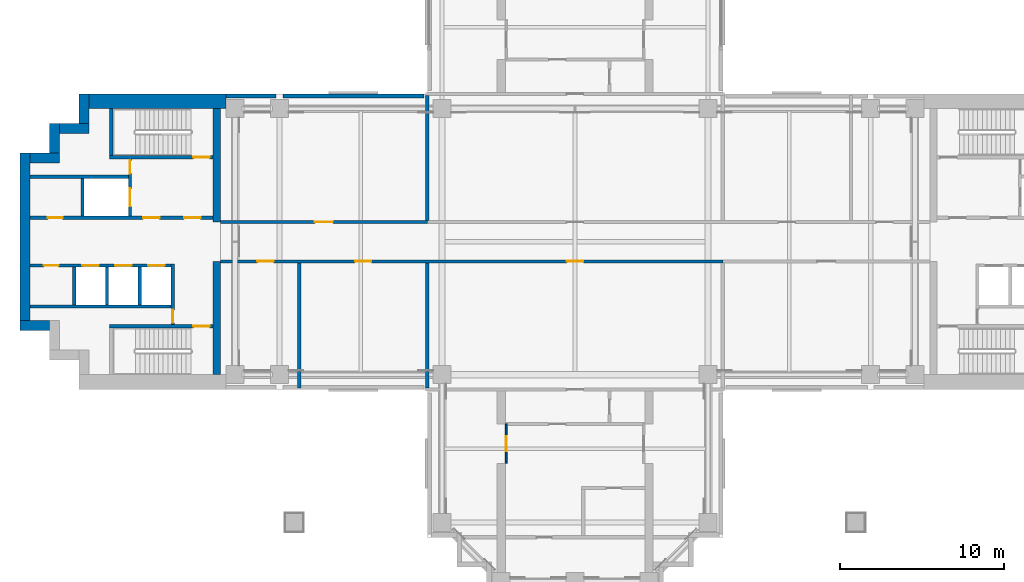
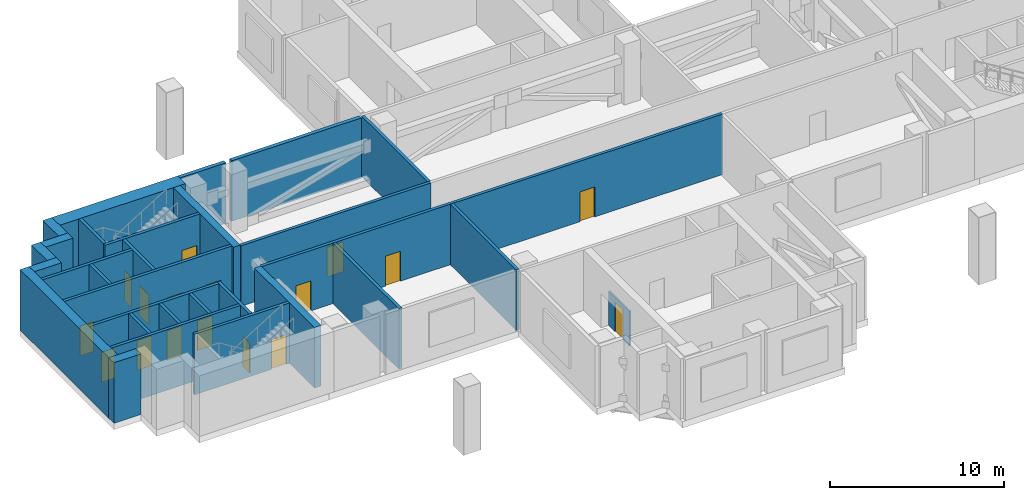
# One storey, part 5 of 11: 30 walls, 17 doors, 17 openings.
"""IFC4 building model written with IfcOpenShell, lengths in metres."""

from ifc_helpers import new_model, si_unit, direction, frame, frame_2d, origin, place, context, subcontext, project, spatial, rectangle, extrude, material, layer, layer_set, type_object, element, fill, save


model = new_model("IFC4")

# Units and contexts
model_context = context("Model", 3, precision=1e-05, world=origin(), true_north=direction((0.0, 1.0)))
body_context = subcontext(model_context, "Body", "Model", "MODEL_VIEW")
ifc_project = project(units=[si_unit("LENGTHUNIT", "METRE"), si_unit("AREAUNIT", "SQUARE_METRE"), si_unit("VOLUMEUNIT", "CUBIC_METRE"), si_unit("PLANEANGLEUNIT", "RADIAN"), si_unit("MASSUNIT", "GRAM", prefix="KILO")], contexts=[model_context])

# Site, building, storey
site_placement = place(None, origin())
site = spatial("IfcSite", under=ifc_project, at=site_placement, CompositionType="ELEMENT")
building_placement = place(site_placement, origin())
building = spatial("IfcBuilding", under=site, at=building_placement, Name="Perihelion Cross Residences", CompositionType="ELEMENT")
storey_placement = place(building_placement, frame((0.0, 0.0, 162.10009765625)))
storey = spatial("IfcBuildingStorey", under=building, at=storey_placement, Name="L39", CompositionType="ELEMENT", Elevation=162.10009765625)

# Wall, openings, doors
ifc_material_1 = material(Name="Plasterboard partition")
ifc_layer_1 = layer(ifc_material_1, 0.199951171875)
ifc_layer_set_1 = layer_set([ifc_layer_1], Name="Apartment riser wall 200")
wall_type_1 = type_object("IfcWallType", Name="Apartment riser wall 200", PredefinedType="PARTITIONING", material=ifc_layer_set_1)
wall_1_placement = place(storey_placement, frame((9.0, -1.199951171875, 0.0), z_axis=(0.0, 0.0, 1.0), x_axis=(-1.0, 0.0, 0.0)))
wall_1 = element("IfcWall", 1, at=wall_1_placement, inside=storey, type_object=wall_type_1, Name="Partition L39 W002", PredefinedType="PARTITIONING", context=body_context, shape_type="SweptSolid", body=[
    extrude(rectangle(XDim=30.60009765625, YDim=0.199951171875, at=frame_2d((15.300048828125, 0.0))), origin(), (0.0, 0.0, 1.0), 4.25),
])
opening_1_placement = place(wall_1_placement, frame((8.5, 0.0, 0.0)))
opening_1 = element("IfcOpeningElement", 2, at=opening_1_placement, cuts=wall_1, Name="Opening L39.A02", PredefinedType="OPENING", context=body_context, shape_type="SweptSolid", body=[
    extrude(rectangle(XDim=1.0, YDim=2.10009765625, at=frame_2d((0.5, 1.050048828125))), frame((0.0, 0.10986328125, 0.0), z_axis=(0.0, -1.0, 0.0), x_axis=(1.0, 0.0, 0.0)), (0.0, 0.0, 1.0), 0.219970703125),
])
opening_2_placement = place(wall_1_placement, frame((21.39990234375, 0.0, 0.0)))
opening_2 = element("IfcOpeningElement", 3, at=opening_2_placement, cuts=wall_1, Name="Opening L39.A07", PredefinedType="OPENING", context=body_context, shape_type="SweptSolid", body=[
    extrude(rectangle(XDim=1.0, YDim=2.10009765625, at=frame_2d((0.5, 1.050048828125))), frame((0.0, 0.10986328125, 0.0), z_axis=(0.0, -1.0, 0.0), x_axis=(1.0, 0.0, 0.0)), (0.0, 0.0, 1.0), 0.219970703125),
])
opening_3_placement = place(wall_1_placement, frame((27.35009765625, 0.0, 0.0)))
opening_3 = element("IfcOpeningElement", 4, at=opening_3_placement, cuts=wall_1, Name="Opening L39.A08", PredefinedType="OPENING", context=body_context, shape_type="SweptSolid", body=[
    extrude(rectangle(XDim=1.0, YDim=2.10009765625, at=frame_2d((0.5, 1.050048828125))), frame((0.0, 0.10986328125, 0.0), z_axis=(0.0, -1.0, 0.0), x_axis=(1.0, 0.0, 0.0)), (0.0, 0.0, 1.0), 0.219970703125),
])
ifc_material_2 = material(Name="Steel door leaf", Category="steel")
door_type_1 = type_object("IfcDoorType", Name="Plant floor door 1000 x 2100", OperationType="SINGLE_SWING_LEFT", PredefinedType="DOOR", material=ifc_material_2)
door_1_placement = place(opening_1_placement, origin())
door_1 = element("IfcDoor", 5, at=door_1_placement, inside=storey, type_object=door_type_1, Name="Door L39.A02", OperationType="SINGLE_SWING_LEFT", OverallHeight=2.10009765625, OverallWidth=1.0, PredefinedType="DOOR", context=body_context, shape_type="SweptSolid", body=[
    extrude(rectangle(XDim=1.0, YDim=2.10009765625, at=frame_2d((0.5, 1.050048828125))), frame((0.0, 0.02490234375, 0.0), z_axis=(0.0, -1.0, 0.0), x_axis=(1.0, 0.0, 0.0)), (0.0, 0.0, 1.0), 0.050048828125),
])
fill(opening_1, door_1)
door_2_placement = place(opening_2_placement, origin())
door_2 = element("IfcDoor", 6, at=door_2_placement, inside=storey, type_object=door_type_1, Name="Door L39.A07", OperationType="SINGLE_SWING_RIGHT", OverallHeight=2.10009765625, OverallWidth=1.0, PredefinedType="DOOR", context=body_context, shape_type="SweptSolid", body=[
    extrude(rectangle(XDim=1.0, YDim=2.10009765625, at=frame_2d((0.5, 1.050048828125))), frame((0.0, 0.02490234375, 0.0), z_axis=(0.0, -1.0, 0.0), x_axis=(1.0, 0.0, 0.0)), (0.0, 0.0, 1.0), 0.050048828125),
])
fill(opening_2, door_2)
door_3_placement = place(opening_3_placement, origin())
door_3 = element("IfcDoor", 7, at=door_3_placement, inside=storey, type_object=door_type_1, Name="Door L39.A08", OperationType="SINGLE_SWING_LEFT", OverallHeight=2.10009765625, OverallWidth=1.0, PredefinedType="DOOR", context=body_context, shape_type="SweptSolid", body=[
    extrude(rectangle(XDim=1.0, YDim=2.10009765625, at=frame_2d((0.5, 1.050048828125))), frame((0.0, 0.02490234375, 0.0), z_axis=(0.0, -1.0, 0.0), x_axis=(1.0, 0.0, 0.0)), (0.0, 0.0, 1.0), 0.050048828125),
])
fill(opening_3, door_3)

# Walls
for number, where, z_axis, x_axis, name in (
    (8, (-9.0, 1.300048828125, 0.0), (0.0, 0.0, 1.0), (0.0, 1.0, 0.0), "Partition L39 W006"),
    (9, (-9.0, -8.89990234375, 0.0), (0.0, 0.0, 1.0), (0.0, 1.0, 0.0), "Partition L39 W009"),
    (10, (-16.800048828125, -8.89990234375, 0.0), (0.0, 0.0, 1.0), (0.0, 1.0, 0.0), "Partition L39 W012"),
):
    element("IfcWall", number, at=place(storey_placement, frame(where, z_axis=z_axis, x_axis=x_axis)), inside=storey, type_object=wall_type_1, Name=name, PredefinedType="PARTITIONING", context=body_context, shape_type="SweptSolid", body=[
        extrude(rectangle(XDim=7.599853515625, YDim=0.199951171875, at=frame_2d((3.7998046875, 0.0))), origin(), (0.0, 0.0, 1.0), 4.25),
    ])

# Wall, opening, door
ifc_material_3 = material(Name="Plasterboard partition")
ifc_layer_2 = layer(ifc_material_3, 0.199951171875)
ifc_layer_set_2 = layer_set([ifc_layer_2], Name="Apartment separation wall 200")
wall_type_2 = type_object("IfcWallType", Name="Apartment separation wall 200", PredefinedType="PARTITIONING", material=ifc_layer_set_2)
wall_2_placement = place(storey_placement, frame((-21.60009765625, 1.199951171875, 0.0), z_axis=(0.0, 0.0, 1.0), x_axis=(1.0, 0.0, 0.0)))
wall_2 = element("IfcWall", 11, at=wall_2_placement, inside=storey, type_object=wall_type_2, Name="Partition L39 W004", PredefinedType="PARTITIONING", context=body_context, shape_type="SweptSolid", body=[
    extrude(rectangle(XDim=12.60009765625, YDim=0.199951171875, at=frame_2d((6.300048828125, 0.0))), origin(), (0.0, 0.0, 1.0), 4.25),
])
opening_4_placement = place(wall_2_placement, frame((5.75, 0.0, 0.0)))
opening_4 = element("IfcOpeningElement", 12, at=opening_4_placement, cuts=wall_2, Name="Opening L39.A06", PredefinedType="OPENING", context=body_context, shape_type="SweptSolid", body=[
    extrude(rectangle(XDim=1.10009765625, YDim=2.10009765625, at=frame_2d((0.550048828125, 1.050048828125))), frame((0.0, 0.10986328125, 0.0), z_axis=(0.0, -1.0, 0.0), x_axis=(1.0, 0.0, 0.0)), (0.0, 0.0, 1.0), 0.219970703125),
])
ifc_material_4 = material(Name="Steel door leaf", Category="steel")
door_type_2 = type_object("IfcDoorType", Name="Refuge room door 1100 x 2100", OperationType="SINGLE_SWING_LEFT", PredefinedType="DOOR", material=ifc_material_4)
door_4_placement = place(opening_4_placement, origin())
door_4 = element("IfcDoor", 13, at=door_4_placement, inside=storey, type_object=door_type_2, Name="Door L39.A06", OperationType="SINGLE_SWING_RIGHT", OverallHeight=2.10009765625, OverallWidth=1.10009765625, PredefinedType="DOOR", context=body_context, shape_type="SweptSolid", body=[
    extrude(rectangle(XDim=1.10009765625, YDim=2.10009765625, at=frame_2d((0.550048828125, 1.050048828125))), frame((0.0, 0.02490234375, 0.0), z_axis=(0.0, -1.0, 0.0), x_axis=(1.0, 0.0, 0.0)), (0.0, 0.0, 1.0), 0.050048828125),
])
fill(opening_4, door_4)

# Walls
ifc_material_5 = material(Name="Concrete C60/75", Category="concrete")
ifc_layer_3 = layer(ifc_material_5, 0.449951171875)
ifc_layer_set_3 = layer_set([ifc_layer_3], Name="Core wall, inner 450")
wall_type_3 = type_object("IfcWallType", Name="Core wall, inner 450", PredefinedType="SHEAR", material=ifc_layer_set_3)
for number, where, z_axis, x_axis, name in (
    (14, (-21.824951171875, -8.10009765625, 0.0), (0.0, 0.0, 1.0), (0.0, 1.0, 0.0), "West core core wall, inner"),
    (15, (-21.824951171875, 1.199951171875, 0.0), (0.0, 0.0, 1.0), (0.0, 1.0, 0.0), "West core core wall, inner"),
):
    element("IfcWall", number, at=place(storey_placement, frame(where, z_axis=z_axis, x_axis=x_axis)), inside=storey, type_object=wall_type_3, Name=name, PredefinedType="SHEAR", context=body_context, shape_type="SweptSolid", body=[
        extrude(rectangle(XDim=6.900146484375, YDim=0.449951171875, at=frame_2d((3.4501953125, 0.0))), origin(), (0.0, 0.0, 1.0), 4.25),
    ])
ifc_material_6 = material(Name="Concrete C60/75", Category="concrete")
ifc_layer_4 = layer(ifc_material_6, 0.60009765625)
ifc_layer_set_4 = layer_set([ifc_layer_4], Name="Core wall, outer 600")
wall_type_4 = type_object("IfcWallType", Name="Core wall, outer 600", PredefinedType="SHEAR", material=ifc_layer_set_4)
wall_3_placement = place(storey_placement, frame((-33.800048828125, -5.10009765625, 0.0), z_axis=(0.0, 0.0, 1.0), x_axis=(1.0, 0.0, 0.0)))
element("IfcWall", 16, at=wall_3_placement, inside=storey, type_object=wall_type_4, Name="West core core wall, outer", PredefinedType="SHEAR", context=body_context, shape_type="SweptSolid", body=[
    extrude(rectangle(XDim=1.800048828125, YDim=0.60009765625, at=frame_2d((0.89990234375, 0.0))), origin(), (0.0, 0.0, 1.0), 4.25),
])
wall_4_placement = place(storey_placement, frame((-33.5, -4.800048828125, 0.0), z_axis=(0.0, 0.0, 1.0), x_axis=(0.0, 1.0, 0.0)))
element("IfcWall", 17, at=wall_4_placement, inside=storey, type_object=wall_type_4, Name="West core core wall, outer", PredefinedType="SHEAR", context=body_context, shape_type="SweptSolid", body=[
    extrude(rectangle(XDim=10.199951171875, YDim=0.60009765625, at=frame_2d((5.10009765625, 0.0))), origin(), (0.0, 0.0, 1.0), 4.25),
])
for number, where, z_axis, x_axis, name in (
    (18, (-33.199951171875, 5.10009765625, 0.0), (0.0, 0.0, 1.0), (1.0, 0.0, 0.0), "West core core wall, outer"),
    (19, (-31.699951171875, 5.39990234375, 0.0), (0.0, 0.0, 1.0), (0.0, 1.0, 0.0), "West core core wall, outer"),
):
    element("IfcWall", number, at=place(storey_placement, frame(where, z_axis=z_axis, x_axis=x_axis)), inside=storey, type_object=wall_type_4, Name=name, PredefinedType="SHEAR", context=body_context, shape_type="SweptSolid", body=[
        extrude(rectangle(XDim=1.800048828125, YDim=0.60009765625, at=frame_2d((0.89990234375, 0.0))), origin(), (0.0, 0.0, 1.0), 4.25),
    ])
wall_5_placement = place(storey_placement, frame((-31.39990234375, 6.89990234375, 0.0), z_axis=(0.0, 0.0, 1.0), x_axis=(1.0, 0.0, 0.0)))
element("IfcWall", 20, at=wall_5_placement, inside=storey, type_object=wall_type_4, Name="West core core wall, outer", PredefinedType="SHEAR", context=body_context, shape_type="SweptSolid", body=[
    extrude(rectangle(XDim=1.7998046875, YDim=0.60009765625, at=frame_2d((0.89990234375, 0.0))), origin(), (0.0, 0.0, 1.0), 4.25),
])
wall_6_placement = place(storey_placement, frame((-29.89990234375, 7.199951171875, 0.0), z_axis=(0.0, 0.0, 1.0), x_axis=(0.0, 1.0, 0.0)))
element("IfcWall", 21, at=wall_6_placement, inside=storey, type_object=wall_type_4, Name="West core core wall, outer", PredefinedType="SHEAR", context=body_context, shape_type="SweptSolid", body=[
    extrude(rectangle(XDim=1.800048828125, YDim=0.60009765625, at=frame_2d((0.89990234375, 0.0))), origin(), (0.0, 0.0, 1.0), 4.25),
])
ifc_material_7 = material(Name="Concrete C60/75", Category="concrete")
ifc_layer_5 = layer(ifc_material_7, 0.89990234375)
ifc_layer_set_5 = layer_set([ifc_layer_5], Name="Core wall, outer 900")
wall_type_5 = type_object("IfcWallType", Name="Core wall, outer 900", PredefinedType="SHEAR", material=ifc_layer_set_5)
wall_7_placement = place(storey_placement, frame((-29.60009765625, 8.550048828125, 0.0), z_axis=(0.0, 0.0, 1.0), x_axis=(1.0, 0.0, 0.0)))
element("IfcWall", 22, at=wall_7_placement, inside=storey, type_object=wall_type_5, Name="West core core wall, outer", PredefinedType="SHEAR", context=body_context, shape_type="SweptSolid", body=[
    extrude(rectangle(XDim=8.35009765625, YDim=0.89990234375, at=frame_2d((4.175048828125, 0.0))), origin(), (0.0, 0.0, 1.0), 4.25),
])

# Wall, opening, door
ifc_material_8 = material(Name="Plasterboard partition")
ifc_layer_6 = layer(ifc_material_8, 0.1201171875)
ifc_layer_set_6 = layer_set([ifc_layer_6], Name="Infill panel 120")
wall_type_6 = type_object("IfcWallType", Name="Infill panel 120", PredefinedType="PARTITIONING", material=ifc_layer_set_6)
wall_8_placement = place(storey_placement, frame((-4.18994140625, -11.10009765625, 0.0), z_axis=(0.0, 0.0, 1.0), x_axis=(0.0, -1.0, 0.0)))
wall_8 = element("IfcWall", 23, at=wall_8_placement, inside=storey, type_object=wall_type_6, Name="Partition L39 WI06", PredefinedType="PARTITIONING", context=body_context, shape_type="SweptSolid", body=[
    extrude(rectangle(XDim=2.39990234375, YDim=0.1201171875, at=frame_2d((1.199951171875, 0.0))), origin(), (0.0, 0.0, 1.0), 2.39990234375),
])
opening_5_placement = place(wall_8_placement, frame((0.75, 0.0, 0.0)))
opening_5 = element("IfcOpeningElement", 24, at=opening_5_placement, cuts=wall_8, Name="Opening L39.A25", PredefinedType="OPENING", context=body_context, shape_type="SweptSolid", body=[
    extrude(rectangle(XDim=0.89990234375, YDim=2.10009765625, at=frame_2d((0.449951171875, 1.050048828125))), frame((0.0, 0.070068359375, 0.0), z_axis=(0.0, -1.0, 0.0), x_axis=(1.0, 0.0, 0.0)), (0.0, 0.0, 1.0), 0.14013671875),
])
ifc_material_9 = material(Name="Timber door leaf", Category="wood")
door_type_3 = type_object("IfcDoorType", Name="Interior room door 900 x 2100", OperationType="SINGLE_SWING_LEFT", PredefinedType="DOOR", material=ifc_material_9)
door_5_placement = place(opening_5_placement, origin())
door_5 = element("IfcDoor", 25, at=door_5_placement, inside=storey, type_object=door_type_3, Name="Door L39.A25", OperationType="SINGLE_SWING_LEFT", OverallHeight=2.10009765625, OverallWidth=0.89990234375, PredefinedType="DOOR", context=body_context, shape_type="SweptSolid", body=[
    extrude(rectangle(XDim=0.89990234375, YDim=2.10009765625, at=frame_2d((0.449951171875, 1.050048828125))), frame((0.0, 0.02490234375, 0.0), z_axis=(0.0, -1.0, 0.0), x_axis=(1.0, 0.0, 0.0)), (0.0, 0.0, 1.0), 0.050048828125),
])
fill(opening_5, door_5)

ifc_material_10 = material(Name="Concrete C50/60", Category="concrete")
ifc_layer_7 = layer(ifc_material_10, 0.199951171875)
ifc_layer_set_7 = layer_set([ifc_layer_7], Name="Lobby wall 200")
wall_type_7 = type_object("IfcWallType", Name="Lobby wall 200", PredefinedType="SOLIDWALL", material=ifc_layer_set_7)
wall_9_placement = place(storey_placement, frame((-24.5, -5.050048828125, 0.0), z_axis=(0.0, 0.0, 1.0), x_axis=(0.0, 1.0, 0.0)))
wall_9 = element("IfcWall", 26, at=wall_9_placement, inside=storey, type_object=wall_type_7, Name="West core lobby wall", PredefinedType="SOLIDWALL", context=body_context, shape_type="SweptSolid", body=[
    extrude(rectangle(XDim=3.699951171875, YDim=0.199951171875, at=frame_2d((1.85009765625, 0.0))), origin(), (0.0, 0.0, 1.0), 4.25),
])
opening_6_placement = place(wall_9_placement, frame((0.10009765625, 0.0, 0.0)))
opening_6 = element("IfcOpeningElement", 27, at=opening_6_placement, cuts=wall_9, Name="Opening L39.C20", PredefinedType="OPENING", context=body_context, shape_type="SweptSolid", body=[
    extrude(rectangle(XDim=0.800048828125, YDim=2.10009765625, at=frame_2d((0.39990234375, 1.050048828125))), frame((0.0, 0.10986328125, 0.0), z_axis=(0.0, -1.0, 0.0), x_axis=(1.0, 0.0, 0.0)), (0.0, 0.0, 1.0), 0.219970703125),
])
ifc_material_11 = material(Name="Steel, powder coated", Category="steel")
door_type_4 = type_object("IfcDoorType", Name="Riser door 800", OperationType="SINGLE_SWING_LEFT", PredefinedType="DOOR", material=ifc_material_11)
door_6_placement = place(opening_6_placement, origin())
door_6 = element("IfcDoor", 28, at=door_6_placement, inside=storey, type_object=door_type_4, Name="West core riser door", OperationType="SINGLE_SWING_LEFT", OverallHeight=2.10009765625, OverallWidth=0.800048828125, PredefinedType="DOOR", context=body_context, shape_type="SweptSolid", body=[
    extrude(rectangle(XDim=0.800048828125, YDim=2.10009765625, at=frame_2d((0.39990234375, 1.050048828125))), frame((0.0, 0.02490234375, 0.0), z_axis=(0.0, -1.0, 0.0), x_axis=(1.0, 0.0, 0.0)), (0.0, 0.0, 1.0), 0.050048828125),
])
fill(opening_6, door_6)

# Walls
ifc_material_12 = material(Name="Concrete C30/37, bronze-clad", Category="concrete")
ifc_layer_8 = layer(ifc_material_12, 0.25)
ifc_layer_set_8 = layer_set([ifc_layer_8], Name="Louvre bay wall 250")
wall_type_8 = type_object("IfcWallType", Name="Louvre bay wall 250", PredefinedType="SOLIDWALL", material=ifc_layer_set_8)
wall_10_placement = place(storey_placement, frame((-9.199951171875, 8.875, 0.0), z_axis=(0.0, 0.0, 1.0), x_axis=(-1.0, 0.0, 0.0)))
element("IfcWall", 29, at=wall_10_placement, inside=storey, type_object=wall_type_8, Name="Wall FW2 L39 west side north bay 1 louvre", PredefinedType="SOLIDWALL", context=body_context, shape_type="SweptSolid", body=[
    extrude(rectangle(XDim=8.60009765625, YDim=0.25, at=frame_2d((4.300048828125, 0.0))), origin(), (0.0, 0.0, 1.0), 4.25),
])
wall_11_placement = place(storey_placement, frame((-18.199951171875, 8.875, 0.0), z_axis=(0.0, 0.0, 1.0), x_axis=(-1.0, 0.0, 0.0)))
element("IfcWall", 30, at=wall_11_placement, inside=storey, type_object=wall_type_8, Name="Wall FW2 L39 west side north bay 2 louvre", PredefinedType="SOLIDWALL", context=body_context, shape_type="SweptSolid", body=[
    extrude(rectangle(XDim=3.050048828125, YDim=0.25, at=frame_2d((1.52490234375, 0.0))), origin(), (0.0, 0.0, 1.0), 4.25),
])

# Wall, openings, doors
ifc_material_13 = material(Name="Concrete C50/60", Category="concrete")
ifc_layer_9 = layer(ifc_material_13, 0.199951171875)
ifc_layer_set_9 = layer_set([ifc_layer_9], Name="Shaft wall 200")
wall_type_9 = type_object("IfcWallType", Name="Shaft wall 200", PredefinedType="SOLIDWALL", material=ifc_layer_set_9)
wall_12_placement = place(storey_placement, frame((-33.199951171875, 1.449951171875, 0.0), z_axis=(0.0, 0.0, 1.0), x_axis=(1.0, 0.0, 0.0)))
wall_12 = element("IfcWall", 31, at=wall_12_placement, inside=storey, type_object=wall_type_9, Name="West core shaft wall", PredefinedType="SOLIDWALL", context=body_context, shape_type="SweptSolid", body=[
    extrude(rectangle(XDim=11.14990234375, YDim=0.199951171875, at=frame_2d((5.574951171875, 0.0))), origin(), (0.0, 0.0, 1.0), 4.25),
])
opening_7_placement = place(wall_12_placement, frame((9.39990234375, 0.0, 0.0)))
opening_7 = element("IfcOpeningElement", 32, at=opening_7_placement, cuts=wall_12, Name="Opening L39.C19", PredefinedType="OPENING", context=body_context, shape_type="SweptSolid", body=[
    extrude(rectangle(XDim=1.0, YDim=2.10009765625, at=frame_2d((0.5, 1.050048828125))), frame((0.0, 0.10986328125, 0.0), z_axis=(0.0, -1.0, 0.0), x_axis=(1.0, 0.0, 0.0)), (0.0, 0.0, 1.0), 0.219970703125),
])
opening_8_placement = place(wall_12_placement, frame((6.89990234375, 0.0, 0.0)))
opening_8 = element("IfcOpeningElement", 33, at=opening_8_placement, cuts=wall_12, Name="Opening L39.C21", PredefinedType="OPENING", context=body_context, shape_type="SweptSolid", body=[
    extrude(rectangle(XDim=1.0, YDim=2.10009765625, at=frame_2d((0.5, 1.050048828125))), frame((0.0, 0.10986328125, 0.0), z_axis=(0.0, -1.0, 0.0), x_axis=(1.0, 0.0, 0.0)), (0.0, 0.0, 1.0), 0.219970703125),
])
opening_9_placement = place(wall_12_placement, frame((1.10009765625, 0.0, 0.0)))
opening_9 = element("IfcOpeningElement", 34, at=opening_9_placement, cuts=wall_12, Name="Opening L39.C23", PredefinedType="OPENING", context=body_context, shape_type="SweptSolid", body=[
    extrude(rectangle(XDim=0.89990234375, YDim=2.10009765625, at=frame_2d((0.449951171875, 1.050048828125))), frame((0.0, 0.10986328125, 0.0), z_axis=(0.0, -1.0, 0.0), x_axis=(1.0, 0.0, 0.0)), (0.0, 0.0, 1.0), 0.219970703125),
])
ifc_material_14 = material(Name="Steel, powder coated", Category="steel")
door_type_5 = type_object("IfcDoorType", Name="Lobby door 1000", OperationType="SINGLE_SWING_LEFT", PredefinedType="DOOR", material=ifc_material_14)
door_7_placement = place(opening_7_placement, origin())
door_7 = element("IfcDoor", 35, at=door_7_placement, inside=storey, type_object=door_type_5, Name="West core firefighting lobby door", OperationType="SINGLE_SWING_LEFT", OverallHeight=2.10009765625, OverallWidth=1.0, PredefinedType="DOOR", context=body_context, shape_type="SweptSolid", body=[
    extrude(rectangle(XDim=1.0, YDim=2.10009765625, at=frame_2d((0.5, 1.050048828125))), frame((0.0, 0.02490234375, 0.0), z_axis=(0.0, -1.0, 0.0), x_axis=(1.0, 0.0, 0.0)), (0.0, 0.0, 1.0), 0.050048828125),
])
fill(opening_7, door_7)
door_8_placement = place(opening_8_placement, origin())
door_8 = element("IfcDoor", 36, at=door_8_placement, inside=storey, type_object=door_type_5, Name="West core firefighting lobby door", OperationType="SINGLE_SWING_LEFT", OverallHeight=2.10009765625, OverallWidth=1.0, PredefinedType="DOOR", context=body_context, shape_type="SweptSolid", body=[
    extrude(rectangle(XDim=1.0, YDim=2.10009765625, at=frame_2d((0.5, 1.050048828125))), frame((0.0, 0.02490234375, 0.0), z_axis=(0.0, -1.0, 0.0), x_axis=(1.0, 0.0, 0.0)), (0.0, 0.0, 1.0), 0.050048828125),
])
fill(opening_8, door_8)
ifc_material_15 = material(Name="Steel, powder coated", Category="steel")
door_type_6 = type_object("IfcDoorType", Name="Service room door 900", OperationType="SINGLE_SWING_LEFT", PredefinedType="DOOR", material=ifc_material_15)
door_9_placement = place(opening_9_placement, origin())
door_9 = element("IfcDoor", 37, at=door_9_placement, inside=storey, type_object=door_type_6, Name="West core service room door", OperationType="SINGLE_SWING_LEFT", OverallHeight=2.10009765625, OverallWidth=0.89990234375, PredefinedType="DOOR", context=body_context, shape_type="SweptSolid", body=[
    extrude(rectangle(XDim=0.89990234375, YDim=2.10009765625, at=frame_2d((0.449951171875, 1.050048828125))), frame((0.0, 0.02490234375, 0.0), z_axis=(0.0, -1.0, 0.0), x_axis=(1.0, 0.0, 0.0)), (0.0, 0.0, 1.0), 0.050048828125),
])
fill(opening_9, door_9)

wall_13_placement = place(storey_placement, frame((-33.199951171875, -1.449951171875, 0.0), z_axis=(0.0, 0.0, 1.0), x_axis=(1.0, 0.0, 0.0)))
wall_13 = element("IfcWall", 38, at=wall_13_placement, inside=storey, type_object=wall_type_9, Name="West core shaft wall", PredefinedType="SOLIDWALL", context=body_context, shape_type="SweptSolid", body=[
    extrude(rectangle(XDim=8.599853515625, YDim=0.199951171875, at=frame_2d((4.2998046875, 0.0))), origin(), (0.0, 0.0, 1.0), 4.25),
])
opening_10_placement = place(wall_13_placement, frame((7.199951171875, 0.0, 0.0)))
opening_10 = element("IfcOpeningElement", 39, at=opening_10_placement, cuts=wall_13, Name="Opening L39.C13", PredefinedType="OPENING", context=body_context, shape_type="SweptSolid", body=[
    extrude(rectangle(XDim=1.0, YDim=2.10009765625, at=frame_2d((0.5, 1.050048828125))), frame((0.0, 0.10986328125, 0.0), z_axis=(0.0, -1.0, 0.0), x_axis=(1.0, 0.0, 0.0)), (0.0, 0.0, 1.0), 0.219970703125),
])
opening_11_placement = place(wall_13_placement, frame((5.199951171875, 0.0, 0.0)))
opening_11 = element("IfcOpeningElement", 40, at=opening_11_placement, cuts=wall_13, Name="Opening L39.C15", PredefinedType="OPENING", context=body_context, shape_type="SweptSolid", body=[
    extrude(rectangle(XDim=1.0, YDim=2.10009765625, at=frame_2d((0.5, 1.050048828125))), frame((0.0, 0.10986328125, 0.0), z_axis=(0.0, -1.0, 0.0), x_axis=(1.0, 0.0, 0.0)), (0.0, 0.0, 1.0), 0.219970703125),
])
opening_12_placement = place(wall_13_placement, frame((3.199951171875, 0.0, 0.0)))
opening_12 = element("IfcOpeningElement", 41, at=opening_12_placement, cuts=wall_13, Name="Opening L39.C16", PredefinedType="OPENING", context=body_context, shape_type="SweptSolid", body=[
    extrude(rectangle(XDim=1.0, YDim=2.10009765625, at=frame_2d((0.5, 1.050048828125))), frame((0.0, 0.10986328125, 0.0), z_axis=(0.0, -1.0, 0.0), x_axis=(1.0, 0.0, 0.0)), (0.0, 0.0, 1.0), 0.219970703125),
])
opening_13_placement = place(wall_13_placement, frame((0.85009765625, 0.0, 0.0)))
opening_13 = element("IfcOpeningElement", 42, at=opening_13_placement, cuts=wall_13, Name="Opening L39.C24", PredefinedType="OPENING", context=body_context, shape_type="SweptSolid", body=[
    extrude(rectangle(XDim=0.89990234375, YDim=2.10009765625, at=frame_2d((0.449951171875, 1.050048828125))), frame((0.0, 0.10986328125, 0.0), z_axis=(0.0, -1.0, 0.0), x_axis=(1.0, 0.0, 0.0)), (0.0, 0.0, 1.0), 0.219970703125),
])
ifc_material_16 = material(Name="Stainless steel", Category="steel")
door_type_7 = type_object("IfcDoorType", Name="Landing door 1000", OperationType="DOUBLE_DOOR_SLIDING", PredefinedType="DOOR", material=ifc_material_16)
door_10_placement = place(opening_10_placement, origin())
door_10 = element("IfcDoor", 43, at=door_10_placement, inside=storey, type_object=door_type_7, Name="Landing door, West core high-rise lift 1", OperationType="DOUBLE_DOOR_SLIDING", OverallHeight=2.10009765625, OverallWidth=1.0, PredefinedType="DOOR", context=body_context, shape_type="SweptSolid", body=[
    extrude(rectangle(XDim=1.0, YDim=2.10009765625, at=frame_2d((0.5, 1.050048828125))), frame((0.0, 0.02490234375, 0.0), z_axis=(0.0, -1.0, 0.0), x_axis=(1.0, 0.0, 0.0)), (0.0, 0.0, 1.0), 0.050048828125),
])
fill(opening_10, door_10)
door_11_placement = place(opening_11_placement, origin())
door_11 = element("IfcDoor", 44, at=door_11_placement, inside=storey, type_object=door_type_7, Name="Landing door, West core high-rise lift 2", OperationType="DOUBLE_DOOR_SLIDING", OverallHeight=2.10009765625, OverallWidth=1.0, PredefinedType="DOOR", context=body_context, shape_type="SweptSolid", body=[
    extrude(rectangle(XDim=1.0, YDim=2.10009765625, at=frame_2d((0.5, 1.050048828125))), frame((0.0, 0.02490234375, 0.0), z_axis=(0.0, -1.0, 0.0), x_axis=(1.0, 0.0, 0.0)), (0.0, 0.0, 1.0), 0.050048828125),
])
fill(opening_11, door_11)
door_12_placement = place(opening_12_placement, origin())
door_12 = element("IfcDoor", 45, at=door_12_placement, inside=storey, type_object=door_type_7, Name="Landing door, West core high-rise lift 3", OperationType="DOUBLE_DOOR_SLIDING", OverallHeight=2.10009765625, OverallWidth=1.0, PredefinedType="DOOR", context=body_context, shape_type="SweptSolid", body=[
    extrude(rectangle(XDim=1.0, YDim=2.10009765625, at=frame_2d((0.5, 1.050048828125))), frame((0.0, 0.02490234375, 0.0), z_axis=(0.0, -1.0, 0.0), x_axis=(1.0, 0.0, 0.0)), (0.0, 0.0, 1.0), 0.050048828125),
])
fill(opening_12, door_12)
door_13_placement = place(opening_13_placement, origin())
door_13 = element("IfcDoor", 46, at=door_13_placement, inside=storey, type_object=door_type_6, Name="West core service room door", OperationType="SINGLE_SWING_LEFT", OverallHeight=2.10009765625, OverallWidth=0.89990234375, PredefinedType="DOOR", context=body_context, shape_type="SweptSolid", body=[
    extrude(rectangle(XDim=0.89990234375, YDim=2.10009765625, at=frame_2d((0.449951171875, 1.050048828125))), frame((0.0, 0.02490234375, 0.0), z_axis=(0.0, -1.0, 0.0), x_axis=(1.0, 0.0, 0.0)), (0.0, 0.0, 1.0), 0.050048828125),
])
fill(opening_13, door_13)

# Walls
wall_14_placement = place(storey_placement, frame((-33.199951171875, 3.949951171875, 0.0), z_axis=(0.0, 0.0, 1.0), x_axis=(1.0, 0.0, 0.0)))
element("IfcWall", 47, at=wall_14_placement, inside=storey, type_object=wall_type_9, Name="West core shaft wall", PredefinedType="SOLIDWALL", context=body_context, shape_type="SweptSolid", body=[
    extrude(rectangle(XDim=6.0, YDim=0.199951171875, at=frame_2d((3.0, 0.0))), origin(), (0.0, 0.0, 1.0), 4.25),
])
wall_15_placement = place(storey_placement, frame((-33.199951171875, -3.949951171875, 0.0), z_axis=(0.0, 0.0, 1.0), x_axis=(1.0, 0.0, 0.0)))
element("IfcWall", 48, at=wall_15_placement, inside=storey, type_object=wall_type_9, Name="West core shaft wall", PredefinedType="SOLIDWALL", context=body_context, shape_type="SweptSolid", body=[
    extrude(rectangle(XDim=8.599853515625, YDim=0.199951171875, at=frame_2d((4.2998046875, 0.0))), origin(), (0.0, 0.0, 1.0), 4.25),
])

# Wall, openings, doors
wall_16_placement = place(storey_placement, frame((-27.10009765625, 1.550048828125, 0.0), z_axis=(0.0, 0.0, 1.0), x_axis=(0.0, 1.0, 0.0)))
wall_16 = element("IfcWall", 49, at=wall_16_placement, inside=storey, type_object=wall_type_9, Name="West core shaft wall", PredefinedType="SOLIDWALL", context=body_context, shape_type="SweptSolid", body=[
    extrude(rectangle(XDim=3.5, YDim=0.199951171875, at=frame_2d((1.75, 0.0))), origin(), (0.0, 0.0, 1.0), 4.25),
])
opening_14_placement = place(wall_16_placement, frame((0.60009765625, 0.0, 0.0)))
opening_14 = element("IfcOpeningElement", 50, at=opening_14_placement, cuts=wall_16, Name="Opening L39.C14", PredefinedType="OPENING", context=body_context, shape_type="SweptSolid", body=[
    extrude(rectangle(XDim=1.10009765625, YDim=2.10009765625, at=frame_2d((0.550048828125, 1.050048828125))), frame((0.0, 0.10986328125, 0.0), z_axis=(0.0, -1.0, 0.0), x_axis=(1.0, 0.0, 0.0)), (0.0, 0.0, 1.0), 0.219970703125),
])
opening_15_placement = place(wall_16_placement, frame((2.60009765625, 0.0, 0.0)))
opening_15 = element("IfcOpeningElement", 51, at=opening_15_placement, cuts=wall_16, Name="Opening L39.C22", PredefinedType="OPENING", context=body_context, shape_type="SweptSolid", body=[
    extrude(rectangle(XDim=0.800048828125, YDim=2.10009765625, at=frame_2d((0.39990234375, 1.050048828125))), frame((0.0, 0.10986328125, 0.0), z_axis=(0.0, -1.0, 0.0), x_axis=(1.0, 0.0, 0.0)), (0.0, 0.0, 1.0), 0.219970703125),
])
ifc_material_17 = material(Name="Stainless steel", Category="steel")
door_type_8 = type_object("IfcDoorType", Name="Landing door, firefighting lift 1100", OperationType="DOUBLE_DOOR_SLIDING", PredefinedType="DOOR", material=ifc_material_17)
door_14_placement = place(opening_14_placement, origin())
door_14 = element("IfcDoor", 52, at=door_14_placement, inside=storey, type_object=door_type_8, Name="Landing door, West core firefighting and service lift", OperationType="DOUBLE_DOOR_SLIDING", OverallHeight=2.10009765625, OverallWidth=1.10009765625, PredefinedType="DOOR", context=body_context, shape_type="SweptSolid", body=[
    extrude(rectangle(XDim=1.10009765625, YDim=2.10009765625, at=frame_2d((0.550048828125, 1.050048828125))), frame((0.0, 0.02490234375, 0.0), z_axis=(0.0, -1.0, 0.0), x_axis=(1.0, 0.0, 0.0)), (0.0, 0.0, 1.0), 0.050048828125),
])
fill(opening_14, door_14)
door_15_placement = place(opening_15_placement, origin())
door_15 = element("IfcDoor", 53, at=door_15_placement, inside=storey, type_object=door_type_4, Name="West core riser door", OperationType="SINGLE_SWING_LEFT", OverallHeight=2.10009765625, OverallWidth=0.800048828125, PredefinedType="DOOR", context=body_context, shape_type="SweptSolid", body=[
    extrude(rectangle(XDim=0.800048828125, YDim=2.10009765625, at=frame_2d((0.39990234375, 1.050048828125))), frame((0.0, 0.02490234375, 0.0), z_axis=(0.0, -1.0, 0.0), x_axis=(1.0, 0.0, 0.0)), (0.0, 0.0, 1.0), 0.050048828125),
])
fill(opening_15, door_15)

# Walls
for number, where, z_axis, x_axis, name in (
    (54, (-30.0, 1.550048828125, 0.0), (0.0, 0.0, 1.0), (0.0, 1.0, 0.0), "West core shaft wall"),
    (55, (-26.5, -3.85009765625, 0.0), (0.0, 0.0, 1.0), (0.0, 1.0, 0.0), "West core shaft wall"),
    (56, (-28.5, -3.85009765625, 0.0), (0.0, 0.0, 1.0), (0.0, 1.0, 0.0), "West core shaft wall"),
    (57, (-30.5, -3.85009765625, 0.0), (0.0, 0.0, 1.0), (0.0, 1.0, 0.0), "West core shaft wall"),
):
    element("IfcWall", number, at=place(storey_placement, frame(where, z_axis=z_axis, x_axis=x_axis)), inside=storey, type_object=wall_type_9, Name=name, PredefinedType="SOLIDWALL", context=body_context, shape_type="SweptSolid", body=[
        extrude(rectangle(XDim=2.300048828125, YDim=0.199951171875, at=frame_2d((1.14990234375, 0.0))), origin(), (0.0, 0.0, 1.0), 4.25),
    ])

# Wall, opening, door
ifc_material_18 = material(Name="Concrete C50/60", Category="concrete")
ifc_layer_10 = layer(ifc_material_18, 0.199951171875)
ifc_layer_set_10 = layer_set([ifc_layer_10], Name="Stair wall 200")
wall_type_10 = type_object("IfcWallType", Name="Stair wall 200", PredefinedType="SOLIDWALL", material=ifc_layer_set_10)
wall_17_placement = place(storey_placement, frame((-28.35009765625, 5.14990234375, 0.0), z_axis=(0.0, 0.0, 1.0), x_axis=(1.0, 0.0, 0.0)))
wall_17 = element("IfcWall", 58, at=wall_17_placement, inside=storey, type_object=wall_type_10, Name="West core stair wall", PredefinedType="SOLIDWALL", context=body_context, shape_type="SweptSolid", body=[
    extrude(rectangle(XDim=6.300048828125, YDim=0.199951171875, at=frame_2d((3.14990234375, 0.0))), origin(), (0.0, 0.0, 1.0), 4.25),
])
opening_16_placement = place(wall_17_placement, frame((5.10009765625, 0.0, 0.0)))
opening_16 = element("IfcOpeningElement", 59, at=opening_16_placement, cuts=wall_17, Name="Opening L39.C18", PredefinedType="OPENING", context=body_context, shape_type="SweptSolid", body=[
    extrude(rectangle(XDim=1.0, YDim=2.10009765625, at=frame_2d((0.5, 1.050048828125))), frame((0.0, 0.10986328125, 0.0), z_axis=(0.0, -1.0, 0.0), x_axis=(1.0, 0.0, 0.0)), (0.0, 0.0, 1.0), 0.219970703125),
])
ifc_material_19 = material(Name="Steel, powder coated", Category="steel")
door_type_9 = type_object("IfcDoorType", Name="Stair door 1000", OperationType="SINGLE_SWING_LEFT", PredefinedType="DOOR", material=ifc_material_19)
door_16_placement = place(opening_16_placement, origin())
door_16 = element("IfcDoor", 60, at=door_16_placement, inside=storey, type_object=door_type_9, Name="West core stair door", OperationType="SINGLE_SWING_LEFT", OverallHeight=2.10009765625, OverallWidth=1.0, PredefinedType="DOOR", context=body_context, shape_type="SweptSolid", body=[
    extrude(rectangle(XDim=1.0, YDim=2.10009765625, at=frame_2d((0.5, 1.050048828125))), frame((0.0, 0.02490234375, 0.0), z_axis=(0.0, -1.0, 0.0), x_axis=(1.0, 0.0, 0.0)), (0.0, 0.0, 1.0), 0.050048828125),
])
fill(opening_16, door_16)

wall_18_placement = place(storey_placement, frame((-28.35009765625, -5.14990234375, 0.0), z_axis=(0.0, 0.0, 1.0), x_axis=(1.0, 0.0, 0.0)))
wall_18 = element("IfcWall", 61, at=wall_18_placement, inside=storey, type_object=wall_type_10, Name="West core stair wall", PredefinedType="SOLIDWALL", context=body_context, shape_type="SweptSolid", body=[
    extrude(rectangle(XDim=6.300048828125, YDim=0.199951171875, at=frame_2d((3.14990234375, 0.0))), origin(), (0.0, 0.0, 1.0), 4.25),
])
opening_17_placement = place(wall_18_placement, frame((5.10009765625, 0.0, 0.0)))
opening_17 = element("IfcOpeningElement", 62, at=opening_17_placement, cuts=wall_18, Name="Opening L39.C17", PredefinedType="OPENING", context=body_context, shape_type="SweptSolid", body=[
    extrude(rectangle(XDim=1.0, YDim=2.10009765625, at=frame_2d((0.5, 1.050048828125))), frame((0.0, 0.10986328125, 0.0), z_axis=(0.0, -1.0, 0.0), x_axis=(1.0, 0.0, 0.0)), (0.0, 0.0, 1.0), 0.219970703125),
])
door_17_placement = place(opening_17_placement, origin())
door_17 = element("IfcDoor", 63, at=door_17_placement, inside=storey, type_object=door_type_9, Name="West core stair door", OperationType="SINGLE_SWING_LEFT", OverallHeight=2.10009765625, OverallWidth=1.0, PredefinedType="DOOR", context=body_context, shape_type="SweptSolid", body=[
    extrude(rectangle(XDim=1.0, YDim=2.10009765625, at=frame_2d((0.5, 1.050048828125))), frame((0.0, 0.02490234375, 0.0), z_axis=(0.0, -1.0, 0.0), x_axis=(1.0, 0.0, 0.0)), (0.0, 0.0, 1.0), 0.050048828125),
])
fill(opening_17, door_17)

# Wall
wall_19_placement = place(storey_placement, frame((-28.25, 5.25, 0.0), z_axis=(0.0, 0.0, 1.0), x_axis=(0.0, 1.0, 0.0)))
element("IfcWall", 64, at=wall_19_placement, inside=storey, type_object=wall_type_10, Name="West core stair wall", PredefinedType="SOLIDWALL", context=body_context, shape_type="SweptSolid", body=[
    extrude(rectangle(XDim=2.85009765625, YDim=0.199951171875, at=frame_2d((1.425048828125, 0.0))), origin(), (0.0, 0.0, 1.0), 4.25),
])

save(model, "model.ifc")
